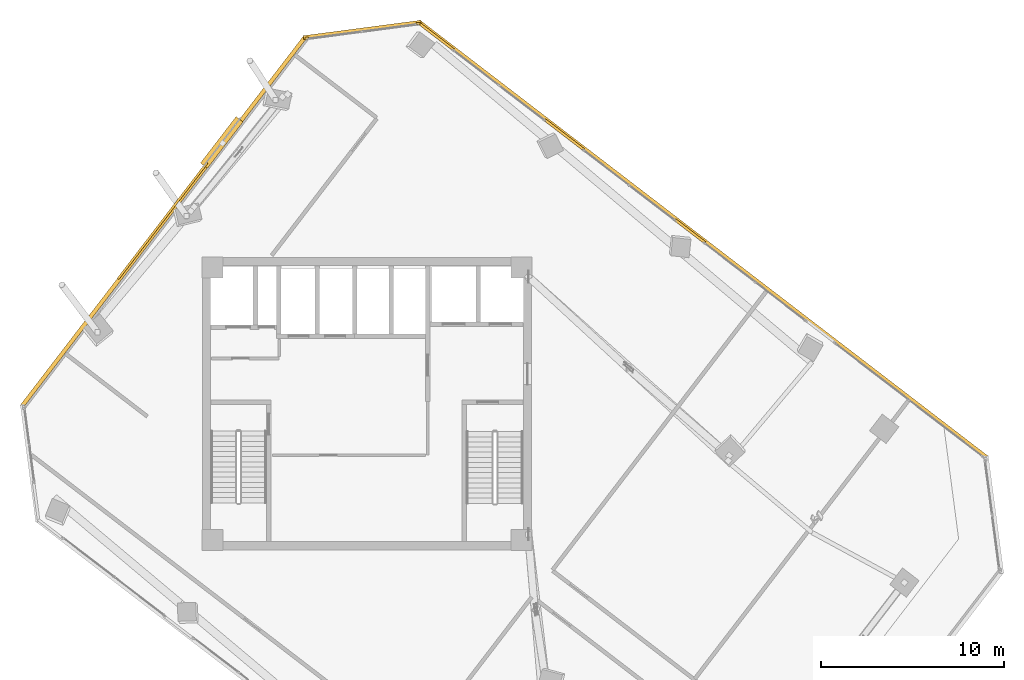
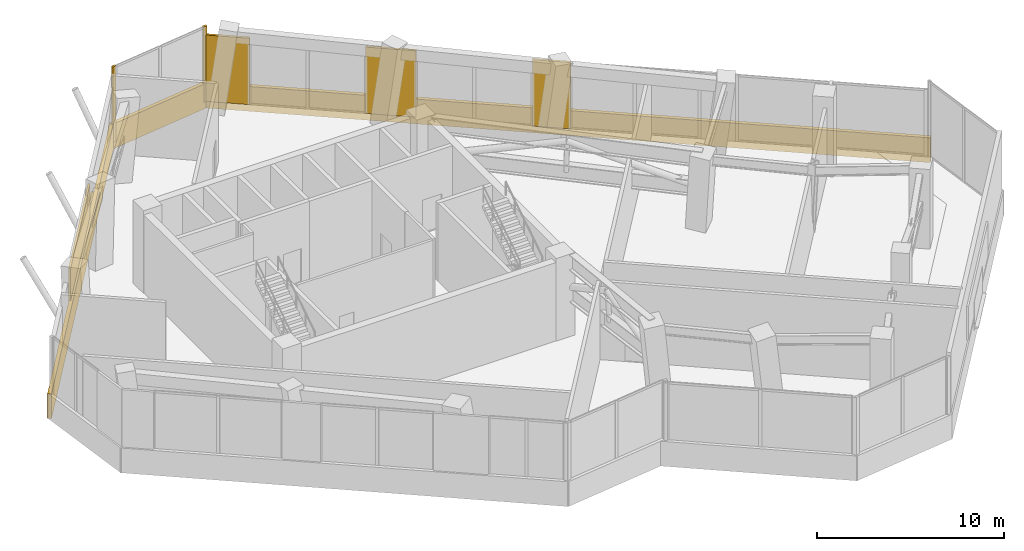
# One storey, part 22 of 22: 8 coverings, 2 shading devices.
"""IFC4 building model written with IfcOpenShell, lengths in metres."""

from ifc_helpers import new_model, si_unit, direction, frame, origin, origin_2d, place, context, subcontext, project, spatial, rectangle, extrude, source, transform, mapped, material, layer, layer_set, type_object, element, save


model = new_model("IFC4")

# Units and contexts
model_context = context("Model", 3, precision=1e-05, world=origin(), true_north=direction((0.0, 1.0)))
body_context = subcontext(model_context, "Body", "Model", "MODEL_VIEW")
ifc_project = project(units=[si_unit("LENGTHUNIT", "METRE"), si_unit("AREAUNIT", "SQUARE_METRE"), si_unit("VOLUMEUNIT", "CUBIC_METRE"), si_unit("PLANEANGLEUNIT", "RADIAN"), si_unit("MASSUNIT", "GRAM", prefix="KILO")], contexts=[model_context])

# Site, building, storey
site_placement = place(None, origin())
site = spatial("IfcSite", under=ifc_project, at=site_placement, CompositionType="ELEMENT")
building_placement = place(site_placement, origin())
building = spatial("IfcBuilding", under=site, at=building_placement, Name="Torre Montelarca", CompositionType="ELEMENT")
storey_placement = place(building_placement, frame((0.0, 0.0, 209.800048828125)))
storey = spatial("IfcBuildingStorey", under=building, at=storey_placement, Name="L47", CompositionType="ELEMENT", Elevation=209.800048828125)

# Coverings
ifc_material_1 = material(Name="Bush-hammered warm white precast concrete C45/55", Category="concrete")
ifc_layer_1 = layer(ifc_material_1, 0.139892578125, Name="Bush-hammered warm white precast concrete C45/55", Category="concrete")
ifc_layer_set_1 = layer_set([ifc_layer_1], Name="Bush-hammered warm white precast concrete C45/55")
covering_type = type_object("IfcCoveringType", Name="COV-TRAY-CLAD", PredefinedType="CLADDING", material=ifc_layer_set_1)
shared_shape_1 = source(origin(), body_context, "Body", "SweptSolid", [
    extrude(rectangle(XDim=6.48388671875, YDim=0.219970703125, at=origin_2d()), origin(), (0.0, 0.0, 1.0), 1.6201171875),
])
covering_1_placement = place(storey_placement, frame((17.739013671875, 52.44287109375, -0.4501953125), z_axis=(0.0, 0.0, 1.0), x_axis=(-0.991444177927, -0.130531383411, 0.0)))
element("IfcCovering", 1, at=covering_1_placement, inside=storey, type_object=covering_type, Name="L47 Architectural White Spandrel Tray Band TRYBOT-09", PredefinedType="CLADDING", context=body_context, shape_type="MappedRepresentation", body=[
    mapped(shared_shape_1, transform((0.0, 0.0, 0.0), scale=1.0)),
])
shared_shape_2 = source(origin(), body_context, "Body", "SweptSolid", [
    extrude(rectangle(XDim=25.52001953125, YDim=0.219970703125, at=origin_2d()), origin(), (0.0, 0.0, 1.0), 1.6201171875),
])
covering_2_placement = place(storey_placement, frame((6.872802734375, 41.96337890625, -0.4501953125), z_axis=(0.0, 0.0, 1.0), x_axis=(-0.608762813671, -0.793352277801, 0.0)))
element("IfcCovering", 2, at=covering_2_placement, inside=storey, type_object=covering_type, Name="L47 Architectural White Spandrel Tray Band TRYBOT-10", PredefinedType="CLADDING", context=body_context, shape_type="MappedRepresentation", body=[
    mapped(shared_shape_2, transform((0.0, 0.0, 0.0), scale=1.0)),
])

# Shading device
ifc_material_2 = material(Name="Anodised champagne bronze aluminium AA 6063-T6", Category="aluminium")
ifc_layer_2 = layer(ifc_material_2, 0.070068359375, Name="Anodised champagne bronze aluminium AA 6063-T6", Category="aluminium")
ifc_layer_set_2 = layer_set([ifc_layer_2], Name="Anodised champagne bronze aluminium AA 6063-T6")
shading_device_type_1 = type_object("IfcShadingDeviceType", Name="SHD-SUNSHADE-1", PredefinedType="USERDEFINED", material=ifc_layer_set_2)
shared_shape_3 = source(origin(), body_context, "Body", "SweptSolid", [
    extrude(rectangle(XDim=3.199951171875, YDim=0.47998046875, at=origin_2d()), origin(), (0.0, 0.0, 1.0), 0.10009765625),
])
shading_device_1_placement = place(storey_placement, frame((10.052978515625, 46.288818359375, 0.56982421875), z_axis=(0.0, 0.0, 1.0), x_axis=(-0.608762813671, -0.793352277801, 0.0)))
element("IfcShadingDevice", 3, at=shading_device_1_placement, inside=storey, type_object=shading_device_type_1, Name="L47 Facade Solar Shading Device E10", ObjectType="SUNSHADE", PredefinedType="USERDEFINED", context=body_context, shape_type="MappedRepresentation", body=[
    mapped(shared_shape_3, transform((0.0, 0.0, 0.0), scale=1.0)),
])

# Coverings
shared_shape_4 = source(origin(), body_context, "Body", "SweptSolid", [
    extrude(rectangle(XDim=0.199951171875, YDim=0.139892578125, at=origin_2d()), origin(), (0.0, 0.0, 1.0), 4.919921875),
])
for number, where, z_axis, x_axis, name in (
    (4, (20.78662109375, 52.78369140625, 0.0), (0.0, 0.0, 1.0), (-0.991444177927, -0.130531383411, 0.0), "L47 Architectural Column Pier Cladding E09-1"),
    (5, (14.706787109375, 51.983154296875, 0.0), (0.0, 0.0, 1.0), (-0.991444177927, -0.130531383411, 0.0), "L47 Architectural Column Pier Cladding E09-2"),
):
    element("IfcCovering", number, at=place(storey_placement, frame(where, z_axis=z_axis, x_axis=x_axis)), inside=storey, type_object=covering_type, Name=name, PredefinedType="CLADDING", context=body_context, shape_type="MappedRepresentation", body=[
        mapped(shared_shape_4, transform((0.0, 0.0, 0.0), scale=1.0)),
    ])

# Shading device
ifc_material_3 = material(Name="Architectural perforated terracotta ceramic", Category="masonry")
ifc_layer_3 = layer(ifc_material_3, 0.080078125, Name="Architectural perforated terracotta ceramic", Category="masonry")
ifc_layer_set_3 = layer_set([ifc_layer_3], Name="Architectural perforated terracotta ceramic")
shading_device_type_2 = type_object("IfcShadingDeviceType", Name="SHD-JALOUSIE-1", PredefinedType="JALOUSIE", material=ifc_layer_set_3)
shared_shape_5 = source(origin(), body_context, "Body", "SweptSolid", [
    extrude(rectangle(XDim=8.0, YDim=0.1201171875, at=origin_2d()), origin(), (0.0, 0.0, 1.0), 2.199951171875),
])
shading_device_2_placement = place(storey_placement, frame((6.817138671875, 42.006103515625, 1.07763671875), z_axis=(0.0, 0.0, 1.0), x_axis=(-0.608764198331, -0.793351215308, 0.0)))
element("IfcShadingDevice", 6, at=shading_device_2_placement, inside=storey, type_object=shading_device_type_2, Name="L47 Belt-Truss Mechanical Louvre Screen E10", PredefinedType="JALOUSIE", context=body_context, shape_type="MappedRepresentation", body=[
    mapped(shared_shape_5, transform((0.0, 0.0, 0.0), scale=1.0)),
])

# Coverings
shared_shape_6 = source(origin(), body_context, "Body", "SweptSolid", [
    extrude(rectangle(XDim=39.219970703125, YDim=0.219970703125, at=origin_2d()), origin(), (0.0, 0.0, 1.0), 1.6201171875),
])
covering_3_placement = place(storey_placement, frame((36.381591796875, 40.962890625, -0.4501953125), z_axis=(0.0, 0.0, 1.0), x_axis=(-0.793353340291, 0.608761429009, 0.0)))
element("IfcCovering", 7, at=covering_3_placement, inside=storey, type_object=covering_type, Name="L47 Architectural White Spandrel Tray Band TRYBOT-08", PredefinedType="CLADDING", context=body_context, shape_type="MappedRepresentation", body=[
    mapped(shared_shape_6, transform((0.0, 0.0, 0.0), scale=1.0)),
])
shared_shape_7 = source(origin(), body_context, "Body", "SweptSolid", [
    extrude(rectangle(XDim=2.06005859375, YDim=0.139892578125, at=origin_2d()), origin(), (0.0, 0.0, 1.0), 4.3349609375),
])
covering_4_placement = place(storey_placement, frame((35.670654296875, 41.4326171875, 0.0), z_axis=(0.0, 0.0, 1.0), x_axis=(-0.793352277801, 0.608762813671, 0.0)))
element("IfcCovering", 8, at=covering_4_placement, inside=storey, type_object=covering_type, Name="L47 Architectural Column Pier Cladding E08-3", PredefinedType="CLADDING", context=body_context, shape_type="MappedRepresentation", body=[
    mapped(shared_shape_7, transform((0.0, 0.0, 0.0), scale=1.0)),
])
shared_shape_8 = source(origin(), body_context, "Body", "SweptSolid", [
    extrude(rectangle(XDim=2.72412109375, YDim=0.139892578125, at=origin_2d()), origin(), (0.0, 0.0, 1.0), 4.3349609375),
])
covering_5_placement = place(storey_placement, frame((28.7939453125, 46.70947265625, 0.0), z_axis=(0.0, 0.0, 1.0), x_axis=(-0.793352277801, 0.608762813671, 0.0)))
element("IfcCovering", 9, at=covering_5_placement, inside=storey, type_object=covering_type, Name="L47 Architectural Column Pier Cladding E08-4", PredefinedType="CLADDING", context=body_context, shape_type="MappedRepresentation", body=[
    mapped(shared_shape_8, transform((0.0, 0.0, 0.0), scale=1.0)),
])
shared_shape_9 = source(origin(), body_context, "Body", "SweptSolid", [
    extrude(rectangle(XDim=2.386962890625, YDim=0.139892578125, at=origin_2d()), origin(), (0.0, 0.0, 1.0), 4.3349609375),
])
covering_6_placement = place(storey_placement, frame((21.794189453125, 52.080322265625, 0.0), z_axis=(0.0, 0.0, 1.0), x_axis=(-0.793352277801, 0.608762813671, 0.0)))
element("IfcCovering", 10, at=covering_6_placement, inside=storey, type_object=covering_type, Name="L47 Architectural Column Pier Cladding E08-5", PredefinedType="CLADDING", context=body_context, shape_type="MappedRepresentation", body=[
    mapped(shared_shape_9, transform((0.0, 0.0, 0.0), scale=1.0)),
])

save(model, "model.ifc")
